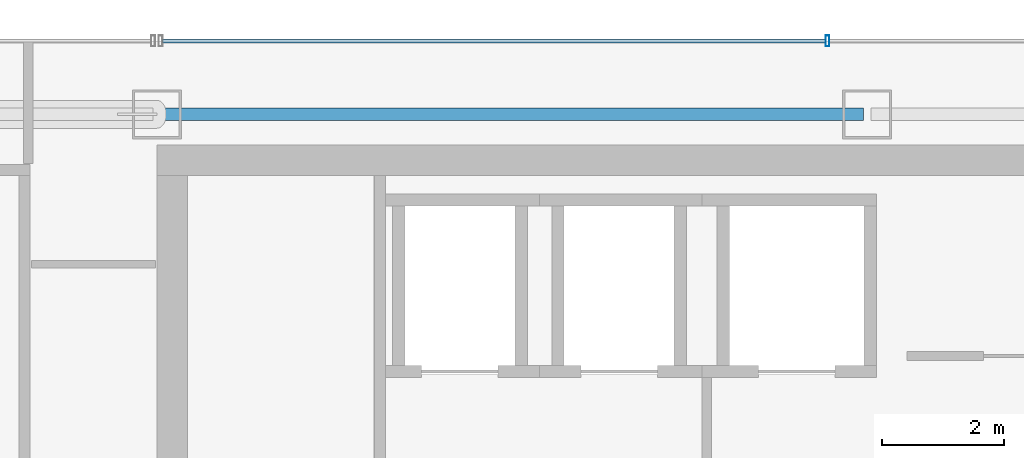
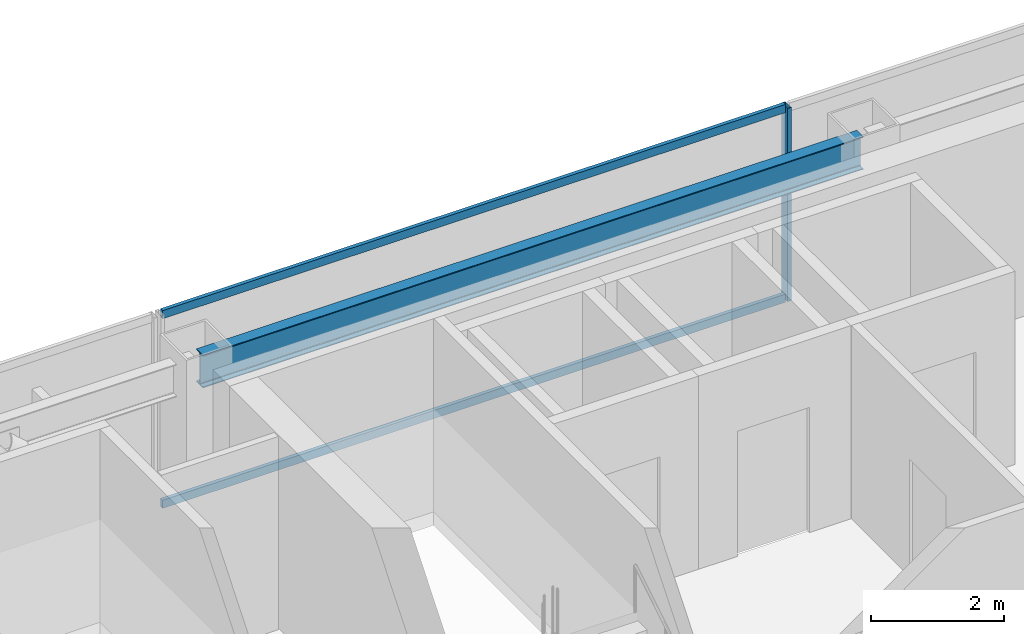
# One storey, part 24 of 36: 3 members, 1 beam, 1 element without a shape of its own.
"""IFC4 building model written with IfcOpenShell, lengths in metres."""

from ifc_helpers import new_model, si_unit, direction, frame, origin, origin_2d, place, context, subcontext, project, spatial, hollow_rectangle, i_section, extrude, material, material_profile, profile_set, type_object, element, aggregate, save


model = new_model("IFC4")

# Units and contexts
model_context = context("Model", 3, precision=1e-05, world=origin(), true_north=direction((0.0, 1.0)))
body_context = subcontext(model_context, "Body", "Model", "MODEL_VIEW")
ifc_project = project(units=[si_unit("LENGTHUNIT", "METRE"), si_unit("AREAUNIT", "SQUARE_METRE"), si_unit("VOLUMEUNIT", "CUBIC_METRE"), si_unit("PLANEANGLEUNIT", "RADIAN"), si_unit("MASSUNIT", "GRAM", prefix="KILO")], contexts=[model_context])

# Site, building, storey
site_placement = place(None, origin())
site = spatial("IfcSite", under=ifc_project, at=site_placement, CompositionType="ELEMENT")
building_placement = place(site_placement, origin())
building = spatial("IfcBuilding", under=site, at=building_placement, Name="Saevonmaru Cultural Tower", CompositionType="ELEMENT")
storey_placement = place(building_placement, frame((0.0, 0.0, 205.60009765625)))
storey = spatial("IfcBuildingStorey", under=building, at=storey_placement, Name="L47", CompositionType="ELEMENT", Elevation=205.60009765625)

# Beam
ifc_material_1 = material(Name="Steel SM355", Category="steel")
ifc_material_profile_1 = material_profile(ifc_material_1, i_section(OverallWidth=0.199951171875, OverallDepth=0.60009765625, WebThickness=0.010986328125, FlangeThickness=0.01708984375, FilletRadius=0.02197265625, at=origin_2d()), Name="H-600x200x11x17")
ifc_profile_set_1 = profile_set([ifc_material_profile_1], Name="Steel SM355")
beam_type = type_object("IfcBeamType", Name="BM-SP-H600", PredefinedType="SPANDREL", material=ifc_profile_set_1)
beam_placement = place(storey_placement, frame((13.659912109375, 54.800048828125, 3.25), z_axis=(1.0, 0.0, 0.0), x_axis=(0.0, 1.0, 0.0)))
element("IfcBeam", 1, at=beam_placement, inside=storey, type_object=beam_type, Name="L47 North Spine Girder 2", PredefinedType="SPANDREL", context=body_context, shape_type="SweptSolid", body=[
    extrude(i_section(OverallWidth=0.199951171875, OverallDepth=0.60009765625, WebThickness=0.010986328125, FlangeThickness=0.01708984375, FilletRadius=0.02197265625, at=origin_2d()), origin(), (0.0, 0.0, 1.0), 11.47998046875),
])

# Curtain wall, members
ifc_material_2 = material(Name="Satin Bronze Anodised Aluminium", Category="aluminium")
curtain_wall_type = type_object("IfcCurtainWallType", Name="CW-TYP-B", PredefinedType="NOTDEFINED", material=ifc_material_2)
curtain_wall_placement = place(storey_placement, origin())
curtain_wall = element("IfcCurtainWall", 2, at=curtain_wall_placement, inside=storey, type_object=curtain_wall_type, Name="L47 North Spine Unitised Curtain Wall E10B", PredefinedType="NOTDEFINED")
ifc_material_profile_2 = material_profile(ifc_material_2, hollow_rectangle(XDim=0.06494140625, YDim=0.179931640625, WallThickness=0.00390625, at=origin_2d()), Name="ALU-MULL-180x65x4")
ifc_profile_set_2 = profile_set([ifc_material_profile_2], Name="Satin Bronze Anodised Aluminium")
member_type_1 = type_object("IfcMemberType", Name="ML-CW-180x65", PredefinedType="MULLION", material=ifc_profile_set_2)
member_1_placement = place(storey_placement, frame((24.55322265625, 56.0, 0.0), z_axis=(0.0, 0.0, 1.0), x_axis=(-1.0, 0.0, 0.0)))
member_1 = element("IfcMember", 3, at=member_1_placement, type_object=member_type_1, Name="CW-TW-L47-E10B mullion 3", PredefinedType="MULLION", context=body_context, shape_type="SweptSolid", body=[
    extrude(hollow_rectangle(XDim=0.06494140625, YDim=0.179931640625, WallThickness=0.00390625, at=origin_2d()), origin(), (0.0, 0.0, 1.0), 3.5498046875),
])
ifc_material_profile_3 = material_profile(ifc_material_2, hollow_rectangle(XDim=0.06494140625, YDim=0.14990234375, WallThickness=0.00390625, at=origin_2d()), Name="ALU-TRAN-150x65x4")
ifc_profile_set_3 = profile_set([ifc_material_profile_3], Name="Satin Bronze Anodised Aluminium")
member_type_2 = type_object("IfcMemberType", Name="TR-CW-150x65", PredefinedType="USERDEFINED", material=ifc_profile_set_3)
member_2_placement = place(storey_placement, frame((24.520751953125, 56.0, 0.032470703125), z_axis=(-1.0, 0.0, 0.0), x_axis=(0.0, -1.0, 0.0)))
member_2 = element("IfcMember", 4, at=member_2_placement, type_object=member_type_2, Name="CW-TW-L47-E10B transom 3.1", ObjectType="TRANSOM", PredefinedType="USERDEFINED", context=body_context, shape_type="SweptSolid", body=[
    extrude(hollow_rectangle(XDim=0.06494140625, YDim=0.14990234375, WallThickness=0.00390625, at=origin_2d()), origin(), (0.0, 0.0, 1.0), 10.828369140625),
])
member_3_placement = place(storey_placement, frame((24.520751953125, 56.0, 3.517333984375), z_axis=(-1.0, 0.0, 0.0), x_axis=(0.0, -1.0, 0.0)))
member_3 = element("IfcMember", 5, at=member_3_placement, type_object=member_type_2, Name="CW-TW-L47-E10B transom 3.2", ObjectType="TRANSOM", PredefinedType="USERDEFINED", context=body_context, shape_type="SweptSolid", body=[
    extrude(hollow_rectangle(XDim=0.06494140625, YDim=0.14990234375, WallThickness=0.00390625, at=origin_2d()), origin(), (0.0, 0.0, 1.0), 10.828369140625),
])
aggregate(curtain_wall, [member_1, member_2, member_3])

save(model, "model.ifc")
